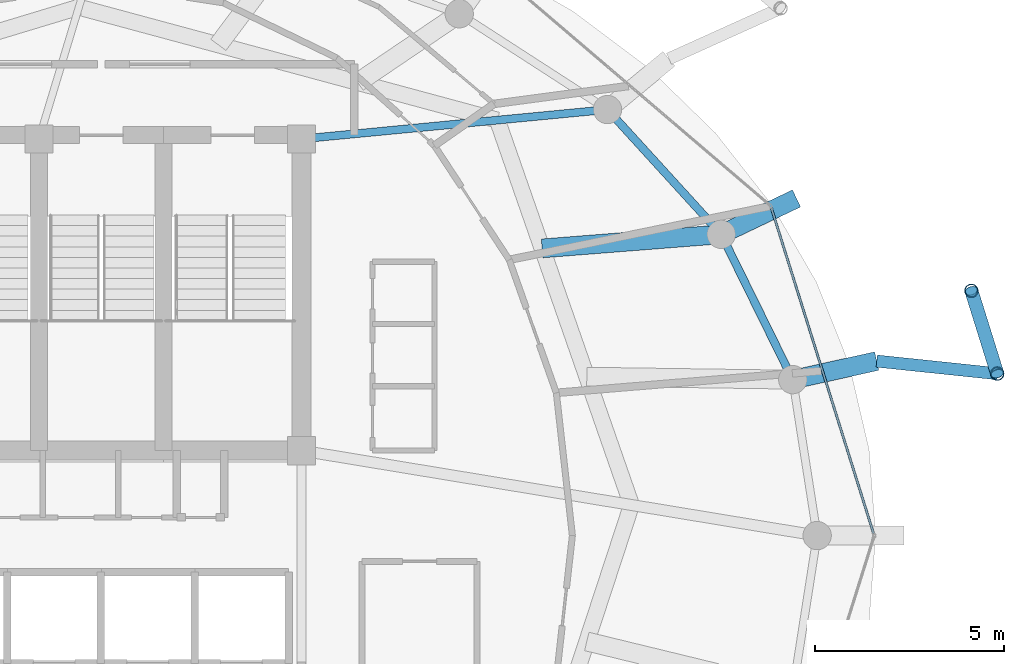
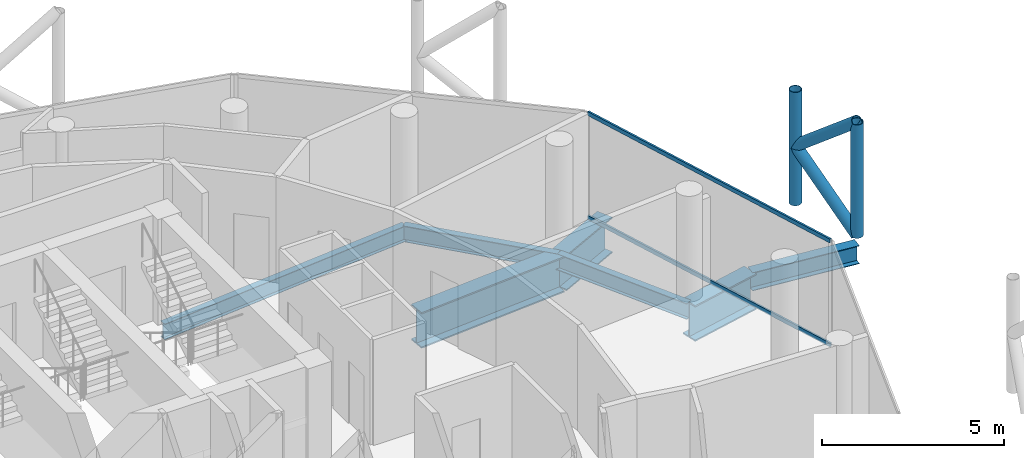
# One storey, part 14 of 25: 7 beams, 6 members, 1 element without a shape of its own.
"""IFC4 building model written with IfcOpenShell, lengths in metres."""

from ifc_helpers import new_model, si_unit, direction, frame, origin, origin_2d, place, context, subcontext, project, spatial, hollow_rectangle, hollow_circle, i_section, extrude, material, layer, layer_set, material_profile, profile_set, type_object, element, aggregate, save


model = new_model("IFC4")

# Units and contexts
model_context = context("Model", 3, precision=1e-05, world=origin(), true_north=direction((0.0, 1.0)))
body_context = subcontext(model_context, "Body", "Model", "MODEL_VIEW")
ifc_project = project(units=[si_unit("LENGTHUNIT", "METRE"), si_unit("AREAUNIT", "SQUARE_METRE"), si_unit("VOLUMEUNIT", "CUBIC_METRE"), si_unit("PLANEANGLEUNIT", "RADIAN"), si_unit("MASSUNIT", "GRAM", prefix="KILO")], contexts=[model_context])

# Site, building, storey
site_placement = place(None, origin())
site = spatial("IfcSite", under=ifc_project, at=site_placement, CompositionType="ELEMENT")
building_placement = place(site_placement, origin())
building = spatial("IfcBuilding", under=site, at=building_placement, Name="Nuhasar Tower", CompositionType="ELEMENT")
storey_placement = place(building_placement, frame((0.0, 0.0, 255.60009765625)))
storey = spatial("IfcBuildingStorey", under=building, at=storey_placement, Name="L63", CompositionType="ELEMENT", Elevation=255.60009765625)

# Beams
ifc_material_1 = material(Name="Steel S355", Category="steel")
ifc_material_profile_1 = material_profile(ifc_material_1, i_section(OverallWidth=0.208984375, OverallDepth=0.528076171875, WebThickness=0.009521484375, FlangeThickness=0.01318359375, at=origin_2d()), Name="W21X55")
ifc_profile_set_1 = profile_set([ifc_material_profile_1], Name="Steel S355")
beam_type_1 = type_object("IfcBeamType", Name="BM-RAD-W21X55", PredefinedType="BEAM", material=ifc_profile_set_1)
beam_1_placement = place(storey_placement, frame((44.300048828125, 37.300048828125, -0.524169921875), z_axis=(0.99542073054, 0.095590633496, 0.0), x_axis=(-0.095590633496, 0.99542073054, 0.0)))
element("IfcBeam", 1, at=beam_1_placement, inside=storey, type_object=beam_type_1, Name="L63 Radial Floor Girder 05", PredefinedType="BEAM", context=body_context, shape_type="SweptSolid", body=[
    extrude(i_section(OverallWidth=0.208984375, OverallDepth=0.528076171875, WebThickness=0.009521484375, FlangeThickness=0.01318359375, at=origin_2d()), origin(), (0.0, 0.0, 1.0), 8.13720703125),
])
ifc_material_profile_2 = material_profile(ifc_material_1, i_section(OverallWidth=0.2099609375, OverallDepth=0.537109375, WebThickness=0.010986328125, FlangeThickness=0.017333984375, at=origin_2d()), Name="W21X68")
ifc_profile_set_2 = profile_set([ifc_material_profile_2], Name="Steel S355")
beam_type_2 = type_object("IfcBeamType", Name="BM-RING-W21X68", PredefinedType="SPANDREL", material=ifc_profile_set_2)
beam_2_placement = place(storey_placement, frame((57.303955078125, 30.927978515625, -0.528076171875), z_axis=(-0.441533119295, 0.897244952377, 0.0), x_axis=(-0.897244952377, -0.441533119295, 0.0)))
element("IfcBeam", 2, at=beam_2_placement, inside=storey, type_object=beam_type_2, Name="L63 Perimeter Ring Spandrel 02", PredefinedType="SPANDREL", context=body_context, shape_type="SweptSolid", body=[
    extrude(i_section(OverallWidth=0.2099609375, OverallDepth=0.537109375, WebThickness=0.010986328125, FlangeThickness=0.017333984375, at=origin_2d()), origin(), (0.0, 0.0, 1.0), 4.28759765625),
])
beam_3_placement = place(storey_placement, frame((55.410888671875, 34.77490234375, -0.528076171875), z_axis=(-0.673686302939, 0.739017432293, 0.0), x_axis=(-0.739017432293, -0.673686302939, 0.0)))
element("IfcBeam", 3, at=beam_3_placement, inside=storey, type_object=beam_type_2, Name="L63 Perimeter Ring Spandrel 03", PredefinedType="SPANDREL", context=body_context, shape_type="SweptSolid", body=[
    extrude(i_section(OverallWidth=0.2099609375, OverallDepth=0.537109375, WebThickness=0.010986328125, FlangeThickness=0.017333984375, at=origin_2d()), origin(), (0.0, 0.0, 1.0), 4.469482421875),
])
ifc_material_profile_3 = material_profile(ifc_material_1, i_section(OverallWidth=0.323974609375, OverallDepth=0.611083984375, WebThickness=0.0126953125, FlangeThickness=0.01904296875, at=origin_2d()), Name="W24X104")
ifc_profile_set_3 = profile_set([ifc_material_profile_3], Name="Steel S355")
beam_type_3 = type_object("IfcBeamType", Name="BM-TIE-W24X104", PredefinedType="BEAM", material=ifc_profile_set_3)
beam_4_placement = place(storey_placement, frame((59.52587890625, 31.419921875, -0.565185546875), z_axis=(0.994571111079, -0.10405914187, 0.0), x_axis=(0.10405914187, 0.994571111079, 0.0)))
element("IfcBeam", 4, at=beam_4_placement, inside=storey, type_object=beam_type_3, Name="L63 Exoskeleton Node Tie Beam 01", PredefinedType="BEAM", context=body_context, shape_type="SweptSolid", body=[
    extrude(i_section(OverallWidth=0.323974609375, OverallDepth=0.611083984375, WebThickness=0.0126953125, FlangeThickness=0.01904296875, at=origin_2d()), origin(), (0.0, 0.0, 1.0), 3.20947265625),
])
ifc_material_2 = material(Name="Steel S460", Category="steel")
ifc_material_profile_4 = material_profile(ifc_material_2, i_section(OverallWidth=0.5, OverallDepth=1.199951171875, WebThickness=0.02587890625, FlangeThickness=0.044921875, at=origin_2d()), Name="PG1200X500")
ifc_profile_set_4 = profile_set([ifc_material_profile_4], Name="Steel S460")
beam_type_4 = type_object("IfcBeamType", Name="BM-XFER-PG1200", PredefinedType="USERDEFINED", material=ifc_profile_set_4)
beam_5_placement = place(storey_placement, frame((57.303955078125, 30.927978515625, -0.860107421875), z_axis=(0.976355887385, 0.216169334478, 0.0), x_axis=(-0.216169334478, 0.976355887385, 0.0)))
element("IfcBeam", 5, at=beam_5_placement, inside=storey, type_object=beam_type_4, Name="L63 Outer Column Step Transfer Girder 02", ObjectType="GIRDER", PredefinedType="USERDEFINED", context=body_context, shape_type="SweptSolid", body=[
    extrude(i_section(OverallWidth=0.5, OverallDepth=1.199951171875, WebThickness=0.02587890625, FlangeThickness=0.044921875, at=origin_2d()), origin(), (0.0, 0.0, 1.0), 2.275634765625),
])
beam_6_placement = place(storey_placement, frame((50.66796875, 34.402099609375, -0.860107421875), z_axis=(0.996925107875, 0.078360253242, 0.0), x_axis=(-0.078360253242, 0.996925107875, 0.0)))
element("IfcBeam", 6, at=beam_6_placement, inside=storey, type_object=beam_type_4, Name="L63 Inner Column Transfer Girder 03", ObjectType="GIRDER", PredefinedType="USERDEFINED", context=body_context, shape_type="SweptSolid", body=[
    extrude(i_section(OverallWidth=0.5, OverallDepth=1.199951171875, WebThickness=0.02587890625, FlangeThickness=0.044921875, at=origin_2d()), origin(), (0.0, 0.0, 1.0), 4.757568359375),
])
beam_7_placement = place(storey_placement, frame((55.410888671875, 34.77490234375, -0.860107421875), z_axis=(0.902590456871, 0.430500252224, 0.0), x_axis=(-0.430500252224, 0.902590456871, 0.0)))
element("IfcBeam", 7, at=beam_7_placement, inside=storey, type_object=beam_type_4, Name="L63 Outer Column Step Transfer Girder 03", ObjectType="GIRDER", PredefinedType="USERDEFINED", context=body_context, shape_type="SweptSolid", body=[
    extrude(i_section(OverallWidth=0.5, OverallDepth=1.199951171875, WebThickness=0.02587890625, FlangeThickness=0.044921875, at=origin_2d()), origin(), (0.0, 0.0, 1.0), 2.207275390625),
])

# Curtain wall, members
ifc_material_3 = material(Name="Aluminium 6063-T6", Category="aluminium")
ifc_layer = layer(ifc_material_3, 0.18994140625)
ifc_layer_set = layer_set([ifc_layer], Name="Aluminium 6063-T6")
curtain_wall_type = type_object("IfcCurtainWallType", Name="CW-Z4-PEN", PredefinedType="NOTDEFINED", material=ifc_layer_set)
curtain_wall_placement = place(storey_placement, origin())
curtain_wall = element("IfcCurtainWall", 8, at=curtain_wall_placement, inside=storey, type_object=curtain_wall_type, Name="L63 Unitised Curtain Wall 01", PredefinedType="NOTDEFINED")
ifc_material_profile_5 = material_profile(ifc_material_3, hollow_rectangle(XDim=0.06005859375, YDim=0.135009765625, WallThickness=0.00439453125, at=origin_2d()), Name="CWT-5")
ifc_profile_set_5 = profile_set([ifc_material_profile_5], Name="Aluminium 6063-T6")
member_type_1 = type_object("IfcMemberType", Name="CW-TRN-S5", PredefinedType="USERDEFINED", material=ifc_profile_set_5)
member_1_placement = place(storey_placement, frame((59.442138671875, 26.857177734375, 0.02978515625), z_axis=(-0.29956014073, 0.954077419335, 0.0), x_axis=(-0.954077419335, -0.29956014073, 0.0)))
member_1 = element("IfcMember", 9, at=member_1_placement, type_object=member_type_1, Name="CW-Z4 transom 1.1", ObjectType="TRANSOM", PredefinedType="USERDEFINED", context=body_context, shape_type="SweptSolid", body=[
    extrude(hollow_rectangle(XDim=0.06005859375, YDim=0.135009765625, WallThickness=0.00439453125, at=origin_2d()), origin(), (0.0, 0.0, 1.0), 9.0302734375),
])
member_2_placement = place(storey_placement, frame((59.442138671875, 26.857177734375, 3.510009765625), z_axis=(-0.29956014073, 0.954077419335, 0.0), x_axis=(-0.954077419335, -0.29956014073, 0.0)))
member_2 = element("IfcMember", 10, at=member_2_placement, type_object=member_type_1, Name="CW-Z4 transom 1.2", ObjectType="TRANSOM", PredefinedType="USERDEFINED", context=body_context, shape_type="SweptSolid", body=[
    extrude(hollow_rectangle(XDim=0.06005859375, YDim=0.135009765625, WallThickness=0.00439453125, at=origin_2d()), origin(), (0.0, 0.0, 1.0), 9.0302734375),
])
aggregate(curtain_wall, [member_1, member_2])

# Members
ifc_material_profile_6 = material_profile(ifc_material_2, hollow_circle(Radius=0.177734375, WallThickness=0.015869140625, at=origin_2d()), Name="HSS355.6X15.9")
ifc_profile_set_6 = profile_set([ifc_material_profile_6], Name="Steel S460")
member_type_2 = type_object("IfcMemberType", Name="EXO-BRONZE-356", PredefinedType="BRACE", material=ifc_profile_set_6)
for number, where, z_axis, x_axis, name in (
    (11, (62.718017578125, 31.0859375, 0.0), (0.0, 0.0, 1.0), (1.0, 0.0, 0.0), "L63 Exoskeleton Chord Column EC-01A"),
    (12, (62.032958984375, 33.281005859375, 0.0), (0.0, 0.0, 1.0), (1.0, 0.0, 0.0), "L63 Exoskeleton Chord Column EC-01B"),
):
    element("IfcMember", number, at=place(storey_placement, frame(where, z_axis=z_axis, x_axis=x_axis)), inside=storey, type_object=member_type_2, Name=name, PredefinedType="BRACE", context=body_context, shape_type="SweptSolid", body=[
        extrude(hollow_circle(Radius=0.177734375, WallThickness=0.015869140625, at=origin_2d()), origin(), (0.0, 0.0, 1.0), 3.7998046875),
    ])
for number, where, z_axis, x_axis, name in (
    (13, (62.718017578125, 31.0859375, 0.0), (-0.229667527485, 0.735901902929, 0.636946792192), (-0.954591372974, -0.297918295247, 0.0), "L63 Bronze Diagrid Brace W1-01"),
    (14, (62.032958984375, 33.281005859375, 1.89990234375), (0.229667527485, -0.735901902929, 0.636946792192), (0.954591372974, 0.297918295247, 0.0), "L63 Bronze Diagrid Brace W2-01"),
):
    element("IfcMember", number, at=place(storey_placement, frame(where, z_axis=z_axis, x_axis=x_axis)), inside=storey, type_object=member_type_2, Name=name, PredefinedType="BRACE", context=body_context, shape_type="SweptSolid", body=[
        extrude(hollow_circle(Radius=0.177734375, WallThickness=0.015869140625, at=origin_2d()), origin(), (0.0, 0.0, 1.0), 2.98291015625),
    ])

save(model, "model.ifc")
